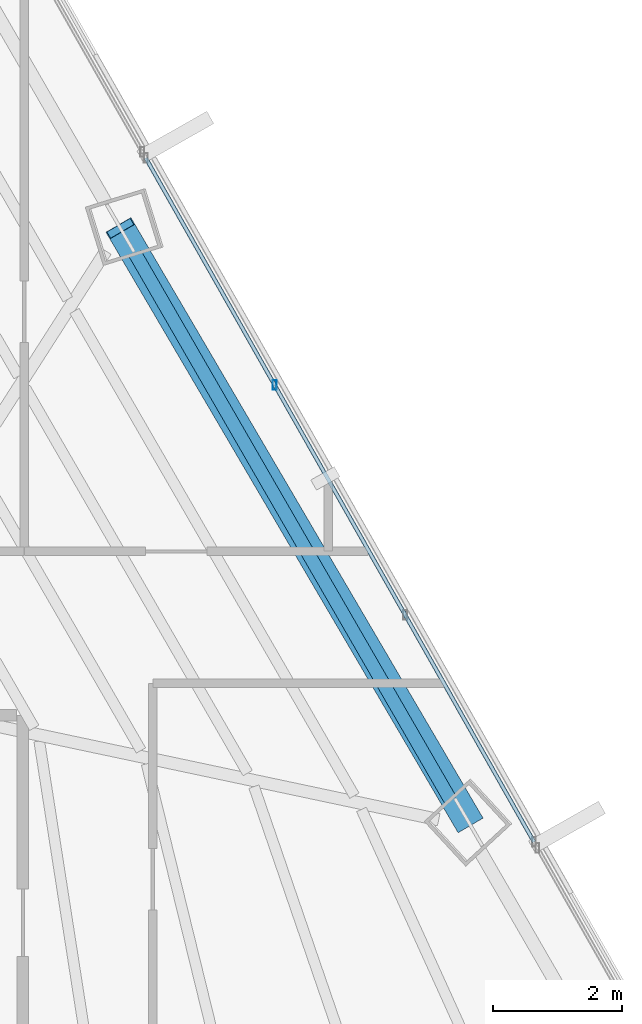
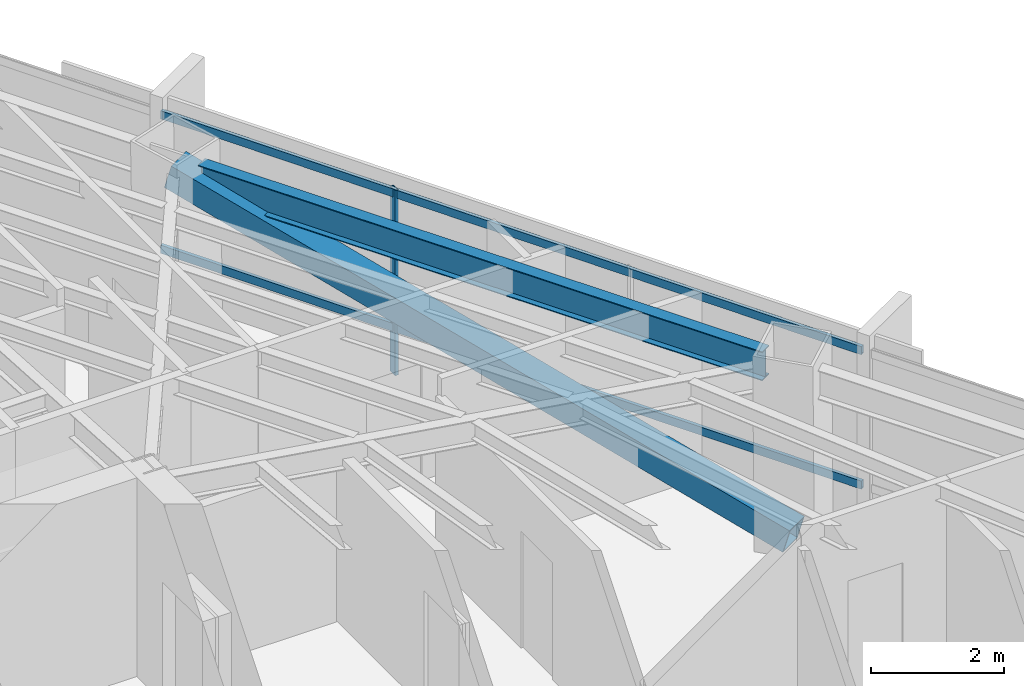
# One storey, part 25 of 42: 4 members, 1 beam, 1 element without a shape of its own.
"""IFC4 building model written with IfcOpenShell, lengths in metres."""

from ifc_helpers import new_model, si_unit, direction, frame, origin, origin_2d, place, context, subcontext, project, spatial, hollow_rectangle, i_section, extrude, source, transform, mapped, material, material_profile, profile_set, type_object, type_shapes, element, aggregate, save


model = new_model("IFC4")

# Units and contexts
model_context = context("Model", 3, precision=1e-05, world=origin(), true_north=direction((0.0, 1.0)))
body_context = subcontext(model_context, "Body", "Model", "MODEL_VIEW")
ifc_project = project(units=[si_unit("LENGTHUNIT", "METRE"), si_unit("AREAUNIT", "SQUARE_METRE"), si_unit("VOLUMEUNIT", "CUBIC_METRE"), si_unit("PLANEANGLEUNIT", "RADIAN"), si_unit("MASSUNIT", "GRAM", prefix="KILO")], contexts=[model_context])

# Site, building, storey
site_placement = place(None, origin())
site = spatial("IfcSite", under=ifc_project, at=site_placement, CompositionType="ELEMENT")
building_placement = place(site_placement, origin())
building = spatial("IfcBuilding", under=site, at=building_placement, Name="Caelisora Broadcast Tower", CompositionType="ELEMENT")
storey_placement = place(building_placement, frame((0.0, 0.0, 131.800048828125)))
storey = spatial("IfcBuildingStorey", under=building, at=storey_placement, Name="L34", CompositionType="ELEMENT", Elevation=131.800048828125)

# Beam
ifc_material_1 = material(Name="Steel Grade 350 (AS/NZS 3679.1)", Category="steel")
ifc_material_profile_1 = material_profile(ifc_material_1, i_section(OverallWidth=0.208984375, OverallDepth=0.532958984375, WebThickness=0.01025390625, FlangeThickness=0.015625, at=origin_2d()), Name="Steel Grade 350 (AS/NZS 3679.1)")
ifc_profile_set_1 = profile_set([ifc_material_profile_1], Name="Steel Grade 350 (AS/NZS 3679.1)")
beam_type = type_object("IfcBeamType", Name="PG05", PredefinedType="BEAM", material=ifc_profile_set_1)
shared_shape_1 = source(origin(), body_context, "Body", "SweptSolid", [
    extrude(i_section(OverallWidth=0.208984375, OverallDepth=0.532958984375, WebThickness=0.01025390625, FlangeThickness=0.015625, at=origin_2d()), origin(), (0.0, 0.0, 1.0), 9.80322265625),
])
type_shapes(beam_type, [shared_shape_1])
beam_placement = place(storey_placement, frame((55.228515625, 28.287109375, 3.133544921875), z_axis=(-0.500004141693, 0.866023012564, 0.0), x_axis=(-0.866023012564, -0.500004141693, 0.0)))
element("IfcBeam", 1, at=beam_placement, inside=storey, type_object=beam_type, Name="L34 beam PG05", PredefinedType="BEAM", context=body_context, shape_type="MappedRepresentation", body=[
    mapped(shared_shape_1, transform((0.0, 0.0, 0.0), scale=1.0)),
])

# Member
ifc_material_2 = material(Name="Steel Grade 450 (AS/NZS 1163 C450L0)", Category="steel")
ifc_material_profile_2 = material_profile(ifc_material_2, hollow_rectangle(XDim=0.449951171875, YDim=0.449951171875, WallThickness=0.01611328125, at=origin_2d()), Name="Steel Grade 450 (AS/NZS 1163 C450L0)")
ifc_profile_set_2 = profile_set([ifc_material_profile_2], Name="Steel Grade 450 (AS/NZS 1163 C450L0)")
member_type_1 = type_object("IfcMemberType", Name="BR03", PredefinedType="BRACE", material=ifc_profile_set_2)
shared_shape_2 = source(origin(), body_context, "Body", "SweptSolid", [
    extrude(hollow_rectangle(XDim=0.449951171875, YDim=0.449951171875, WallThickness=0.01611328125, at=origin_2d()), origin(), (0.0, 0.0, 1.0), 11.11962890625),
])
type_shapes(member_type_1, [shared_shape_2])
member_1_placement = place(storey_placement, frame((55.512939453125, 27.93896484375, 0.099853515625), z_axis=(-0.487090999079, 0.830634513281, 0.269793743371), x_axis=(-0.862622150831, -0.505848816245, 0.0)))
element("IfcMember", 2, at=member_1_placement, inside=storey, type_object=member_type_1, Name="L34 perimeter brace BR03", PredefinedType="BRACE", context=body_context, shape_type="MappedRepresentation", body=[
    mapped(shared_shape_2, transform((0.0, 0.0, 0.0), scale=1.0)),
])

# Curtain wall, members
ifc_material_3 = material(Name="Unitised Aluminium Insulated Shadow-Box Spandrel Curtain Wall", Category="aluminium")
curtain_wall_type = type_object("IfcCurtainWallType", Name="CW-SP2", PredefinedType="NOTDEFINED", material=ifc_material_3)
curtain_wall_placement = place(storey_placement, origin())
curtain_wall = element("IfcCurtainWall", 3, at=curtain_wall_placement, inside=storey, type_object=curtain_wall_type, Name="L34 curtain wall CW-SP2", PredefinedType="NOTDEFINED")
ifc_material_4 = material(Name="Aluminium 6063-T6 Anodised Terracotta Bronze", Category="aluminium")
ifc_material_profile_3 = material_profile(ifc_material_4, hollow_rectangle(XDim=0.06005859375, YDim=0.14990234375, WallThickness=0.00341796875, at=origin_2d()), Name="Aluminium 6063-T6 Anodised Terracotta Bronze")
ifc_profile_set_3 = profile_set([ifc_material_profile_3], Name="Aluminium 6063-T6 Anodised Terracotta Bronze")
member_type_2 = type_object("IfcMemberType", Name="CWM-03", PredefinedType="MULLION", material=ifc_profile_set_3)
shared_shape_3 = source(origin(), body_context, "Body", "SweptSolid", [
    extrude(hollow_rectangle(XDim=0.06005859375, YDim=0.14990234375, WallThickness=0.00341796875, at=origin_2d()), origin(), (0.0, 0.0, 1.0), 3.39990234375),
])
type_shapes(member_type_2, [shared_shape_3])
member_2_placement = place(storey_placement, frame((52.49658203125, 34.736083984375, 0.0), z_axis=(0.0, 0.0, 1.0), x_axis=(1.0, 0.0, 0.0)))
member_2 = element("IfcMember", 4, at=member_2_placement, type_object=member_type_2, Name="L34-CW-B02 mullion #1", PredefinedType="MULLION", context=body_context, shape_type="MappedRepresentation", body=[
    mapped(shared_shape_3, transform((0.0, 0.0, 0.0), scale=1.0)),
])
ifc_material_profile_4 = material_profile(ifc_material_4, hollow_rectangle(XDim=0.06005859375, YDim=0.14990234375, WallThickness=0.00341796875, at=origin_2d()), Name="Aluminium 6063-T6 Anodised Terracotta Bronze")
ifc_profile_set_4 = profile_set([ifc_material_profile_4], Name="Aluminium 6063-T6 Anodised Terracotta Bronze")
member_type_3 = type_object("IfcMemberType", Name="CWT-02", PredefinedType="USERDEFINED", material=ifc_profile_set_4)
shared_shape_4 = source(origin(), body_context, "Body", "SweptSolid", [
    extrude(hollow_rectangle(XDim=0.06005859375, YDim=0.14990234375, WallThickness=0.00341796875, at=origin_2d()), origin(), (0.0, 0.0, 1.0), 12.23046875),
])
type_shapes(member_type_3, [shared_shape_4])
member_3_placement = place(storey_placement, frame((50.4921875, 38.266845703125, 0.849853515625), z_axis=(0.493656118008, -0.869657195194, 0.0), x_axis=(0.869657195194, 0.493656118008, 0.0)))
member_3 = element("IfcMember", 5, at=member_3_placement, type_object=member_type_3, Name="L34-CW-B02 transom #1", ObjectType="TRANSOM", PredefinedType="USERDEFINED", context=body_context, shape_type="MappedRepresentation", body=[
    mapped(shared_shape_4, transform((0.0, 0.0, 0.0), scale=1.0)),
])
member_4_placement = place(storey_placement, frame((50.4921875, 38.266845703125, 3.320068359375), z_axis=(0.493656118008, -0.869657195194, 0.0), x_axis=(0.869657195194, 0.493656118008, 0.0)))
member_4 = element("IfcMember", 6, at=member_4_placement, type_object=member_type_3, Name="L34-CW-B02 transom #2", ObjectType="TRANSOM", PredefinedType="USERDEFINED", context=body_context, shape_type="MappedRepresentation", body=[
    mapped(shared_shape_4, transform((0.0, 0.0, 0.0), scale=1.0)),
])
aggregate(curtain_wall, [member_2, member_3, member_4])

save(model, "model.ifc")
